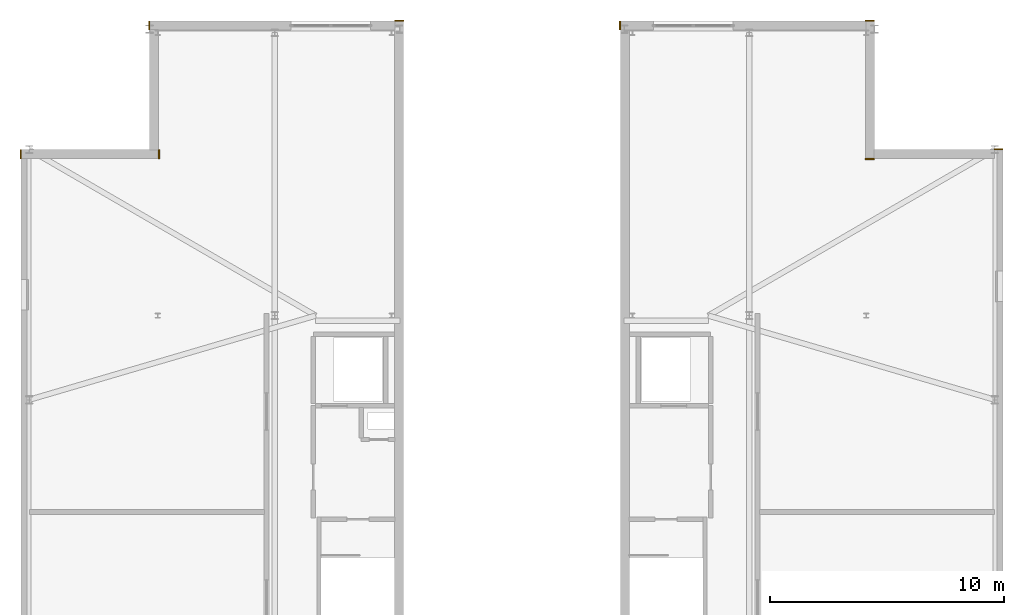
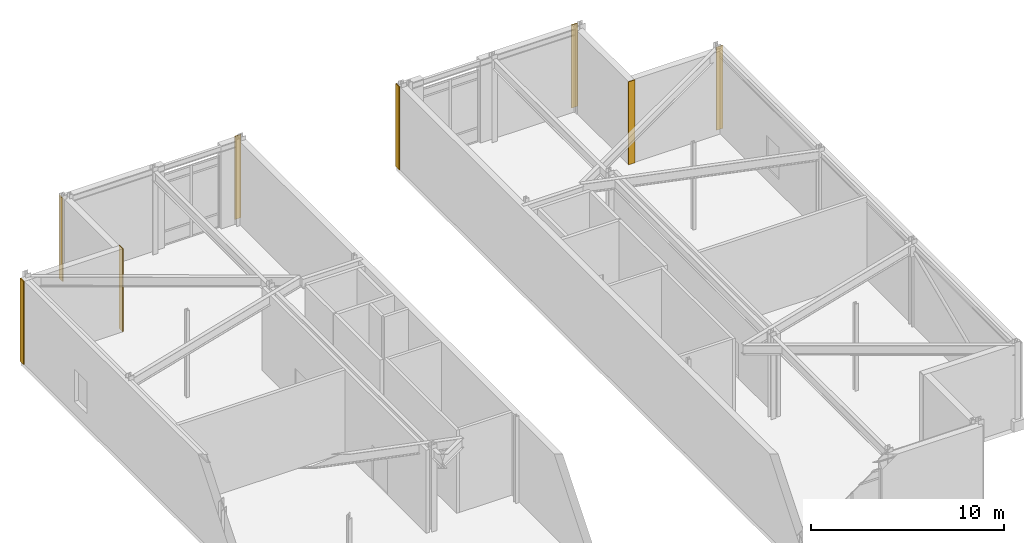
# One storey, part 14 of 14: 8 coverings.
"""IFC4 building model written with IfcOpenShell, lengths in metres."""

from ifc_helpers import new_model, si_unit, direction, frame, frame_2d, origin, place, context, subcontext, project, spatial, rectangle, extrude, material, layer, layer_set, type_object, element, save


model = new_model("IFC4")

# Units and contexts
model_context = context("Model", 3, precision=1e-05, world=origin(), true_north=direction((0.0, 1.0)))
body_context = subcontext(model_context, "Body", "Model", "MODEL_VIEW")
ifc_project = project(units=[si_unit("LENGTHUNIT", "METRE"), si_unit("AREAUNIT", "SQUARE_METRE"), si_unit("VOLUMEUNIT", "CUBIC_METRE"), si_unit("PLANEANGLEUNIT", "RADIAN"), si_unit("MASSUNIT", "GRAM", prefix="KILO")], contexts=[model_context])

# Site, building, storey
site_placement = place(None, origin())
site = spatial("IfcSite", under=ifc_project, at=site_placement, CompositionType="ELEMENT")
building_placement = place(site_placement, origin())
building = spatial("IfcBuilding", under=site, at=building_placement, Name="Cairnveth Concourse Tower", CompositionType="ELEMENT")
storey_placement = place(building_placement, frame((0.0, 0.0, 330.0)))
storey = spatial("IfcBuildingStorey", under=building, at=storey_placement, Name="L90", CompositionType="ELEMENT", Elevation=330.0)

# Coverings
ifc_material = material(Name="Dressed Melbourne Bluestone Cladding", Category="masonry")
ifc_layer = layer(ifc_material, 0.050048828125)
ifc_layer_set = layer_set([ifc_layer], Name="Dressed Melbourne Bluestone Cladding")
covering_type = type_object("IfcCoveringType", Name="DRESSED BLUESTONE PLINTH CLADDING 50", PredefinedType="CLADDING", material=ifc_layer_set)
for number, where, z_axis, x_axis, name in (
    (1, (30.97998046875, 54.1201171875, 0.0), (0.0, 0.0, 1.0), (0.0, 1.0, 0.0), "Melbourne Bluestone Corner Quoin L90-1374"),
    (2, (36.89990234375, 54.1201171875, 0.0), (0.0, 0.0, 1.0), (0.0, 1.0, 0.0), "Melbourne Bluestone Corner Quoin L90-1375"),
    (3, (36.47998046875, 59.6201171875, 0.0), (0.0, 0.0, 1.0), (0.0, 1.0, 0.0), "Melbourne Bluestone Corner Quoin L90-1376"),
):
    element("IfcCovering", number, at=place(storey_placement, frame(where, z_axis=z_axis, x_axis=x_axis)), inside=storey, type_object=covering_type, Name=name, PredefinedType="CLADDING", context=body_context, shape_type="SweptSolid", body=[
        extrude(rectangle(XDim=0.3798828125, YDim=0.050048828125, at=frame_2d((0.18994140625, 0.0))), origin(), (0.0, 0.0, 1.0), 5.25),
    ])
covering_placement = place(storey_placement, frame((46.97998046875, 60.02001953125, 0.0), z_axis=(0.0, 0.0, 1.0), x_axis=(1.0, 0.0, 0.0)))
element("IfcCovering", 4, at=covering_placement, inside=storey, type_object=covering_type, Name="Melbourne Bluestone Corner Quoin L90-1377", PredefinedType="CLADDING", context=body_context, shape_type="SweptSolid", body=[
    extrude(rectangle(XDim=0.380126953125, YDim=0.050048828125, at=frame_2d((0.18994140625, 0.0))), origin(), (0.0, 0.0, 1.0), 5.25),
])
for number, where, z_axis, x_axis, name in (
    (5, (56.6201171875, 59.6201171875, 0.0), (0.0, 0.0, 1.0), (0.0, 1.0, 0.0), "Melbourne Bluestone Corner Quoin L90-1380"),
    (6, (67.1201171875, 60.02001953125, 0.0), (0.0, 0.0, 1.0), (1.0, 0.0, 0.0), "Melbourne Bluestone Corner Quoin L90-1381"),
    (7, (67.1201171875, 54.10009765625, 0.0), (0.0, 0.0, 1.0), (1.0, 0.0, 0.0), "Melbourne Bluestone Corner Quoin L90-1382"),
    (8, (72.6201171875, 54.52001953125, 0.0), (0.0, 0.0, 1.0), (1.0, 0.0, 0.0), "Melbourne Bluestone Corner Quoin L90-1383"),
):
    element("IfcCovering", number, at=place(storey_placement, frame(where, z_axis=z_axis, x_axis=x_axis)), inside=storey, type_object=covering_type, Name=name, PredefinedType="CLADDING", context=body_context, shape_type="SweptSolid", body=[
        extrude(rectangle(XDim=0.3798828125, YDim=0.050048828125, at=frame_2d((0.18994140625, 0.0))), origin(), (0.0, 0.0, 1.0), 5.25),
    ])

save(model, "model.ifc")
